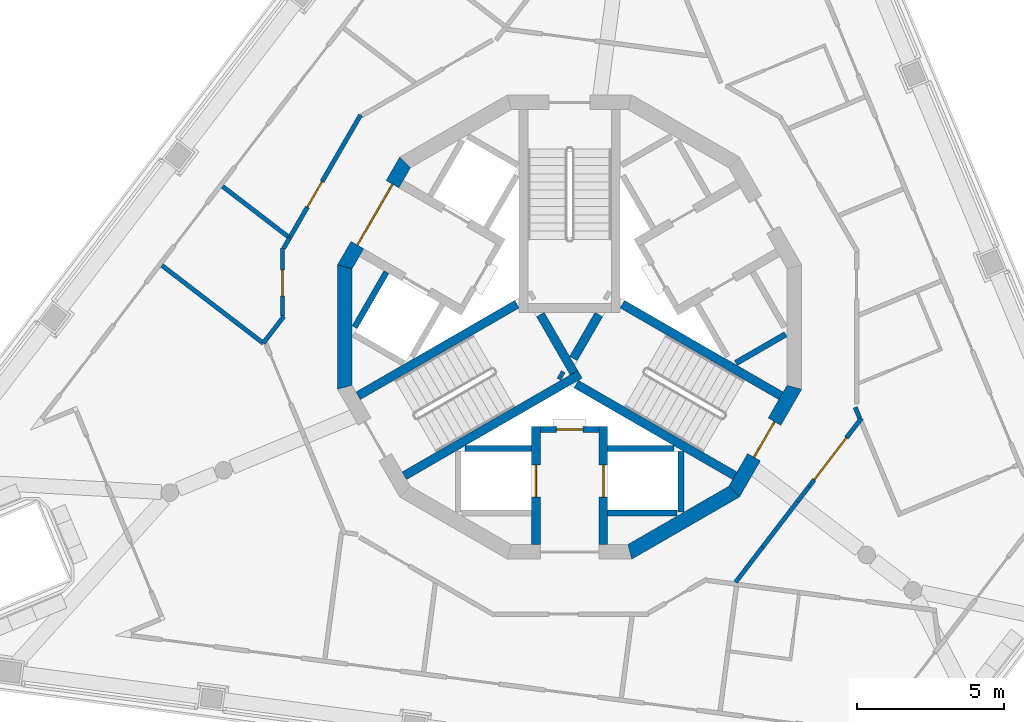
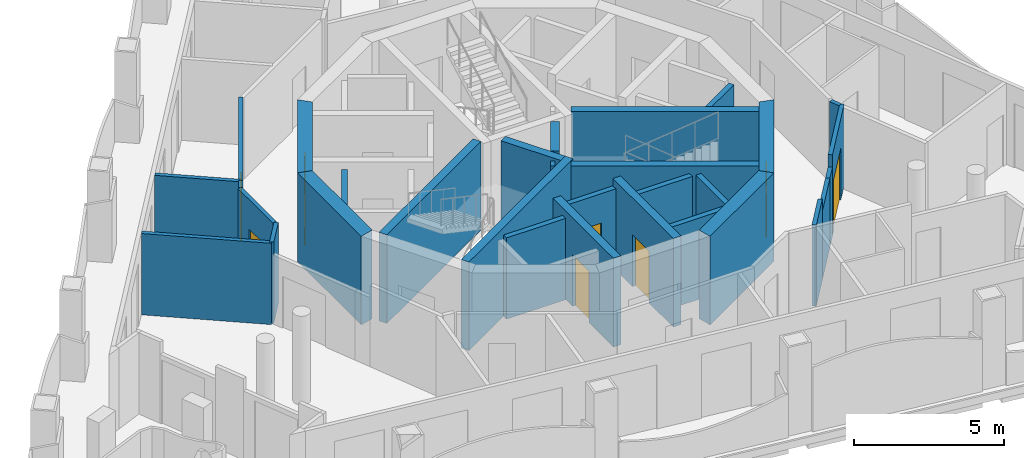
# One storey, part 3 of 12: 31 walls, 8 doors, 8 openings.
"""IFC4 building model written with IfcOpenShell, lengths in metres."""

from ifc_helpers import new_model, si_unit, direction, frame, frame_2d, origin, place, context, subcontext, project, spatial, polyline, rectangle, outline, extrude, material, layer, layer_set, type_object, element, fill, save


model = new_model("IFC4")

# Units and contexts
model_context = context("Model", 3, precision=1e-05, world=origin(), true_north=direction((0.0, 1.0)))
body_context = subcontext(model_context, "Body", "Model", "MODEL_VIEW")
ifc_project = project(units=[si_unit("LENGTHUNIT", "METRE"), si_unit("AREAUNIT", "SQUARE_METRE"), si_unit("VOLUMEUNIT", "CUBIC_METRE"), si_unit("PLANEANGLEUNIT", "RADIAN"), si_unit("MASSUNIT", "GRAM", prefix="KILO")], contexts=[model_context])

# Site, building, storey
site_placement = place(None, origin())
site = spatial("IfcSite", under=ifc_project, at=site_placement, CompositionType="ELEMENT")
building_placement = place(site_placement, origin())
building = spatial("IfcBuilding", under=site, at=building_placement, Name="Trine Commons Tower", CompositionType="ELEMENT")
storey_placement = place(building_placement, frame((0.0, 0.0, 282.60009765625)))
storey = spatial("IfcBuildingStorey", under=building, at=storey_placement, Name="L74", CompositionType="ELEMENT", Elevation=282.60009765625)

# Wall, opening, door
ifc_material_1 = material(Name="Fire-rated gypsum shaft wall system")
ifc_layer_1 = layer(ifc_material_1, 0.199951171875)
ifc_layer_set_1 = layer_set([ifc_layer_1], Name="Fire-rated gypsum shaft wall system")
wall_type_1 = type_object("IfcWallType", Name="Lobby end wall 200 mm, EI 120", PredefinedType="PARTITIONING", material=ifc_layer_set_1)
wall_1_placement = place(storey_placement, frame((79.0, 59.0, 0.0), z_axis=(0.0, 0.0, 1.0), x_axis=(1.0, 0.0, 0.0)))
wall_1 = element("IfcWall", 1, at=wall_1_placement, inside=storey, type_object=wall_type_1, Name="Lobby end wall L74", PredefinedType="PARTITIONING", context=body_context, shape_type="SweptSolid", body=[
    extrude(rectangle(XDim=2.0, YDim=0.199951171875, at=frame_2d((1.0, 0.0))), origin(), (0.0, 0.0, 1.0), 3.2998046875),
])
opening_1_placement = place(wall_1_placement, frame((0.550048828125, 0.0, 0.0)))
opening_1 = element("IfcOpeningElement", 2, at=opening_1_placement, cuts=wall_1, Name="Opening K18.09", PredefinedType="OPENING", context=body_context, shape_type="SweptSolid", body=[
    extrude(rectangle(XDim=0.89990234375, YDim=2.10009765625, at=frame_2d((0.449951171875, 1.050048828125))), frame((0.0, 0.10986328125, 0.0), z_axis=(0.0, -1.0, 0.0), x_axis=(1.0, 0.0, 0.0)), (0.0, 0.0, 1.0), 0.219970703125),
])
ifc_material_2 = material(Name="Steel door leaf, fire-rated", Category="steel")
door_type_1 = type_object("IfcDoorType", Name="Riser access door, single leaf 900 x 2100, FD60", OperationType="SINGLE_SWING_LEFT", PredefinedType="DOOR", material=ifc_material_2)
door_1_placement = place(opening_1_placement, frame((0.89990234375, 0.0, 0.0), z_axis=(0.0, 0.0, 1.0), x_axis=(-1.0, 0.0, 0.0)))
door_1 = element("IfcDoor", 3, at=door_1_placement, inside=storey, type_object=door_type_1, Name="Riser door, Communications riser L74", OperationType="SINGLE_SWING_RIGHT", OverallHeight=2.10009765625, OverallWidth=0.89990234375, PredefinedType="DOOR", context=body_context, shape_type="SweptSolid", body=[
    extrude(rectangle(XDim=0.89990234375, YDim=2.10009765625, at=frame_2d((0.449951171875, 1.050048828125))), frame((0.0, 0.02490234375, 0.0), z_axis=(0.0, -1.0, 0.0), x_axis=(1.0, 0.0, 0.0)), (0.0, 0.0, 1.0), 0.050048828125),
])
fill(opening_1, door_1)

ifc_material_3 = material(Name="Concrete C50/60", Category="concrete")
ifc_layer_2 = layer(ifc_material_3, 0.300048828125)
ifc_layer_set_2 = layer_set([ifc_layer_2], Name="Concrete C50/60")
wall_type_2 = type_object("IfcWallType", Name="RC shear wall 300 mm, C50/60", PredefinedType="SHEAR", material=ifc_layer_set_2)
wall_2_placement = place(storey_placement, frame((78.85009765625, 59.10009765625, 0.0), z_axis=(0.0, 0.0, 1.0), x_axis=(0.0, -1.0, 0.0)))
wall_2 = element("IfcWall", 4, at=wall_2_placement, inside=storey, type_object=wall_type_2, Name="Core cross wall SWD-03 L74", PredefinedType="SHEAR", context=body_context, shape_type="SweptSolid", body=[
    extrude(rectangle(XDim=4.02099609375, YDim=0.300048828125, at=frame_2d((2.010498046875, 0.0))), origin(), (0.0, 0.0, 1.0), 3.599853515625),
])
opening_2_placement = place(wall_2_placement, frame((1.300048828125, 0.0, 0.0)))
opening_2 = element("IfcOpeningElement", 5, at=opening_2_placement, cuts=wall_2, Name="Opening LD10", PredefinedType="OPENING", context=body_context, shape_type="SweptSolid", body=[
    extrude(rectangle(XDim=1.10009765625, YDim=2.10009765625, at=frame_2d((0.550048828125, 1.050048828125))), frame((0.0, 0.159912109375, 0.0), z_axis=(0.0, -1.0, 0.0), x_axis=(1.0, 0.0, 0.0)), (0.0, 0.0, 1.0), 0.320068359375),
])
ifc_material_4 = material(Name="Stainless steel sliding door leaves", Category="steel")
door_type_2 = type_object("IfcDoorType", Name="Lift landing door, centre-opening sliding 1100 x 2100, FD90", OperationType="DOUBLE_DOOR_SLIDING", PredefinedType="DOOR", material=ifc_material_4)
door_2_placement = place(opening_2_placement, origin())
door_2 = element("IfcDoor", 6, at=door_2_placement, inside=storey, type_object=door_type_2, Name="Lift landing door FF2 L74", OperationType="DOUBLE_DOOR_SLIDING", OverallHeight=2.10009765625, OverallWidth=1.10009765625, PredefinedType="DOOR", context=body_context, shape_type="SweptSolid", body=[
    extrude(rectangle(XDim=1.10009765625, YDim=2.10009765625, at=frame_2d((0.550048828125, 1.050048828125))), frame((0.0, 0.02490234375, 0.0), z_axis=(0.0, -1.0, 0.0), x_axis=(1.0, 0.0, 0.0)), (0.0, 0.0, 1.0), 0.050048828125),
])
fill(opening_2, door_2)

wall_3_placement = place(storey_placement, frame((81.14990234375, 59.10009765625, 0.0), z_axis=(0.0, 0.0, 1.0), x_axis=(0.0, -1.0, 0.0)))
wall_3 = element("IfcWall", 7, at=wall_3_placement, inside=storey, type_object=wall_type_2, Name="Core cross wall SWD-04 L74", PredefinedType="SHEAR", context=body_context, shape_type="SweptSolid", body=[
    extrude(rectangle(XDim=4.02099609375, YDim=0.300048828125, at=frame_2d((2.010498046875, 0.0))), origin(), (0.0, 0.0, 1.0), 3.599853515625),
])
opening_3_placement = place(wall_3_placement, frame((1.300048828125, 0.0, 0.0)))
opening_3 = element("IfcOpeningElement", 8, at=opening_3_placement, cuts=wall_3, Name="Opening LD9", PredefinedType="OPENING", context=body_context, shape_type="SweptSolid", body=[
    extrude(rectangle(XDim=1.10009765625, YDim=2.10009765625, at=frame_2d((0.550048828125, 1.050048828125))), frame((0.0, 0.159912109375, 0.0), z_axis=(0.0, -1.0, 0.0), x_axis=(1.0, 0.0, 0.0)), (0.0, 0.0, 1.0), 0.320068359375),
])
door_3_placement = place(opening_3_placement, origin())
door_3 = element("IfcDoor", 9, at=door_3_placement, inside=storey, type_object=door_type_2, Name="Lift landing door FF1 L74", OperationType="DOUBLE_DOOR_SLIDING", OverallHeight=2.10009765625, OverallWidth=1.10009765625, PredefinedType="DOOR", context=body_context, shape_type="SweptSolid", body=[
    extrude(rectangle(XDim=1.10009765625, YDim=2.10009765625, at=frame_2d((0.550048828125, 1.050048828125))), frame((0.0, 0.02490234375, 0.0), z_axis=(0.0, -1.0, 0.0), x_axis=(1.0, 0.0, 0.0)), (0.0, 0.0, 1.0), 0.050048828125),
])
fill(opening_3, door_3)

# Walls
wall_4_placement = place(storey_placement, frame((78.199951171875, 63.280029296875, 0.0), z_axis=(0.0, 0.0, 1.0), x_axis=(-0.866013897511, -0.50001992892, 0.0)))
element("IfcWall", 10, at=wall_4_placement, inside=storey, type_object=wall_type_2, Name="Core cross wall SWD-07 L74", PredefinedType="SHEAR", context=body_context, shape_type="SweptSolid", body=[
    extrude(rectangle(XDim=6.251708984375, YDim=0.300048828125, at=frame_2d((3.1259765625, 0.0))), origin(), (0.0, 0.0, 1.0), 3.599853515625),
])
wall_5_placement = place(storey_placement, frame((79.0029296875, 62.926025390625, 0.0), z_axis=(0.0, 0.0, 1.0), x_axis=(0.499965247104, -0.866045467449, 0.0)))
element("IfcWall", 11, at=wall_5_placement, inside=storey, type_object=wall_type_2, Name="Core cross wall SWD-10 L74", PredefinedType="SHEAR", context=body_context, shape_type="SweptSolid", body=[
    extrude(rectangle(XDim=2.292236328125, YDim=0.300048828125, at=frame_2d((1.14599609375, 0.0))), origin(), (0.0, 0.0, 1.0), 3.599853515625),
])
wall_6_placement = place(storey_placement, frame((79.64599609375, 60.885986328125, 0.0), z_axis=(0.0, 0.0, 1.0), x_axis=(0.867331893649, -0.497730234424, 0.0)))
element("IfcWall", 12, at=wall_6_placement, inside=storey, type_object=wall_type_2, Name="Core cross wall SWD-11 L74", PredefinedType="SHEAR", context=body_context, shape_type="SweptSolid", body=[
    extrude(rectangle(XDim=0.148681640625, YDim=0.300048828125, at=frame_2d((0.07421875, 0.0))), origin(), (0.0, 0.0, 1.0), 3.599853515625),
])
wall_7_placement = place(storey_placement, frame((80.1298828125, 61.424072265625, 0.0), z_axis=(0.0, 0.0, 1.0), x_axis=(0.500014901547, 0.866016800201, 0.0)))
element("IfcWall", 13, at=wall_7_placement, inside=storey, type_object=wall_type_2, Name="Core cross wall SWD-12 L74", PredefinedType="SHEAR", context=body_context, shape_type="SweptSolid", body=[
    extrude(rectangle(XDim=1.734375, YDim=0.300048828125, at=frame_2d((0.8671875, 0.0))), origin(), (0.0, 0.0, 1.0), 3.599853515625),
])
wall_8_placement = place(storey_placement, frame((80.22509765625, 60.552001953125, 0.0), z_axis=(0.0, 0.0, 1.0), x_axis=(0.866004133274, -0.500036839795, 0.0)))
element("IfcWall", 14, at=wall_8_placement, inside=storey, type_object=wall_type_2, Name="Core cross wall SWD-13 L74", PredefinedType="SHEAR", context=body_context, shape_type="SweptSolid", body=[
    extrude(rectangle(XDim=6.25146484375, YDim=0.300048828125, at=frame_2d((3.125732421875, 0.0))), origin(), (0.0, 0.0, 1.0), 3.599853515625),
])
wall_9_placement = place(storey_placement, frame((80.35400390625, 60.885986328125, 0.0), z_axis=(0.0, 0.0, 1.0), x_axis=(-0.86602871973, -0.49999425657, 0.0)))
element("IfcWall", 15, at=wall_9_placement, inside=storey, type_object=wall_type_2, Name="Core cross wall SWD-14 L74", PredefinedType="SHEAR", context=body_context, shape_type="SweptSolid", body=[
    extrude(rectangle(XDim=6.919921875, YDim=0.300048828125, at=frame_2d((3.4599609375, 0.0))), origin(), (0.0, 0.0, 1.0), 3.599853515625),
])
wall_10_placement = place(storey_placement, frame((81.800048828125, 63.280029296875, 0.0), z_axis=(0.0, 0.0, 1.0), x_axis=(0.866013897511, -0.50001992892, 0.0)))
element("IfcWall", 16, at=wall_10_placement, inside=storey, type_object=wall_type_2, Name="Core cross wall SWD-18 L74", PredefinedType="SHEAR", context=body_context, shape_type="SweptSolid", body=[
    extrude(rectangle(XDim=6.251708984375, YDim=0.300048828125, at=frame_2d((3.1259765625, 0.0))), origin(), (0.0, 0.0, 1.0), 3.599853515625),
])

# Wall, opening, door
ifc_layer_3 = layer(ifc_material_3, 0.5)
ifc_layer_set_3 = layer_set([ifc_layer_3], Name="Concrete C50/60")
wall_type_3 = type_object("IfcWallType", Name="RC shear wall 500 mm, C50/60", PredefinedType="SHEAR", material=ifc_layer_set_3)
wall_11_placement = place(storey_placement, frame((74.418212890625, 68.17333984375, 0.0), z_axis=(0.0, 0.0, 1.0), x_axis=(-0.499992968425, -0.866029463428, 0.0)))
wall_11 = element("IfcWall", 17, at=wall_11_placement, inside=storey, type_object=wall_type_3, Name="Core wall CWH-06 L74", PredefinedType="SHEAR", context=body_context, shape_type="SweptSolid", body=[
    extrude(outline(polyline([(0.0, -0.25), (4.24462890625, -0.25), (4.110595703125, 0.25), (0.134033203125, 0.25), (0.0, -0.25)])), origin(), (0.0, 0.0, 1.0), 3.599853515625),
])
opening_4_placement = place(wall_11_placement, frame((0.92236328125, 0.0, 0.0)))
opening_4 = element("IfcOpeningElement", 18, at=opening_4_placement, cuts=wall_11, Name="Opening K18.06", PredefinedType="OPENING", context=body_context, shape_type="SweptSolid", body=[
    extrude(rectangle(XDim=2.39990234375, YDim=2.10009765625, at=frame_2d((1.199951171875, 1.050048828125))), frame((0.0, 0.260009765625, 0.0), z_axis=(0.0, -1.0, 0.0), x_axis=(1.0, 0.0, 0.0)), (0.0, 0.0, 1.0), 0.52001953125),
])
ifc_material_5 = material(Name="Steel door leaves, fire-rated", Category="steel")
door_type_3 = type_object("IfcDoorType", Name="Lobby door, double leaf 2400 x 2100, FD60", OperationType="DOUBLE_DOOR_SINGLE_SWING", PredefinedType="DOOR", material=ifc_material_5)
door_4_placement = place(opening_4_placement, origin())
door_4 = element("IfcDoor", 19, at=door_4_placement, inside=storey, type_object=door_type_3, Name="Lobby door, Passenger lift lobby B L74", OperationType="DOUBLE_DOOR_SINGLE_SWING", OverallHeight=2.10009765625, OverallWidth=2.39990234375, PredefinedType="DOOR", context=body_context, shape_type="SweptSolid", body=[
    extrude(rectangle(XDim=2.39990234375, YDim=2.10009765625, at=frame_2d((1.199951171875, 1.050048828125))), frame((0.0, 0.02490234375, 0.0), z_axis=(0.0, -1.0, 0.0), x_axis=(1.0, 0.0, 0.0)), (0.0, 0.0, 1.0), 0.050048828125),
])
fill(opening_4, door_4)

# Walls
for number, where, z_axis, x_axis, name in (
    (20, (72.329345703125, 64.622314453125, 0.0), (0.0, 0.0, 1.0), (0.0, -1.0, 0.0), "Core wall CWH-07 L74"),
    (21, (81.997314453125, 54.7958984375, 0.0), (0.0, 0.0, 1.0), (0.866029463428, 0.499992968425, 0.0), "Core wall CWH-11 L74"),
):
    element("IfcWall", number, at=place(storey_placement, frame(where, z_axis=z_axis, x_axis=x_axis)), inside=storey, type_object=wall_type_3, Name=name, PredefinedType="SHEAR", context=body_context, shape_type="SweptSolid", body=[
        extrude(outline(polyline([(0.0, -0.25), (4.24462890625, -0.25), (4.110595703125, 0.25), (0.134033203125, 0.25), (0.0, -0.25)])), origin(), (0.0, 0.0, 1.0), 3.599853515625),
    ])

# Wall, opening, door
wall_12_placement = place(storey_placement, frame((85.581787109375, 56.82666015625, 0.0), z_axis=(0.0, 0.0, 1.0), x_axis=(0.499992968425, 0.866029463428, 0.0)))
wall_12 = element("IfcWall", 22, at=wall_12_placement, inside=storey, type_object=wall_type_3, Name="Core wall CWH-12 L74", PredefinedType="SHEAR", context=body_context, shape_type="SweptSolid", body=[
    extrude(outline(polyline([(0.0, -0.25), (4.24462890625, -0.25), (4.110595703125, 0.25), (0.134033203125, 0.25), (0.0, -0.25)])), origin(), (0.0, 0.0, 1.0), 3.599853515625),
])
opening_5_placement = place(wall_12_placement, frame((1.42236328125, 0.0, 0.0)))
opening_5 = element("IfcOpeningElement", 23, at=opening_5_placement, cuts=wall_12, Name="Opening K18.03", PredefinedType="OPENING", context=body_context, shape_type="SweptSolid", body=[
    extrude(rectangle(XDim=1.39990234375, YDim=2.10009765625, at=frame_2d((0.699951171875, 1.050048828125))), frame((0.0, 0.260009765625, 0.0), z_axis=(0.0, -1.0, 0.0), x_axis=(1.0, 0.0, 0.0)), (0.0, 0.0, 1.0), 0.52001953125),
])
door_type_4 = type_object("IfcDoorType", Name="Stair door, double leaf 1400 x 2100, FD90", OperationType="DOUBLE_DOOR_SINGLE_SWING", PredefinedType="DOOR", material=ifc_material_5)
door_5_placement = place(opening_5_placement, origin())
door_5 = element("IfcDoor", 24, at=door_5_placement, inside=storey, type_object=door_type_4, Name="Stair door to Exit stair ST3D L74", OperationType="DOUBLE_DOOR_SINGLE_SWING", OverallHeight=2.10009765625, OverallWidth=1.39990234375, PredefinedType="DOOR", context=body_context, shape_type="SweptSolid", body=[
    extrude(rectangle(XDim=1.39990234375, YDim=2.10009765625, at=frame_2d((0.699951171875, 1.050048828125))), frame((0.0, 0.02490234375, 0.0), z_axis=(0.0, -1.0, 0.0), x_axis=(1.0, 0.0, 0.0)), (0.0, 0.0, 1.0), 0.050048828125),
])
fill(opening_5, door_5)

# Walls
ifc_layer_4 = layer(ifc_material_1, 0.199951171875)
ifc_layer_set_4 = layer_set([ifc_layer_4], Name="Fire-rated gypsum shaft wall system")
wall_type_4 = type_object("IfcWallType", Name="Shaft wall 200 mm, EI 120", PredefinedType="PARTITIONING", material=ifc_layer_set_4)
wall_13_placement = place(storey_placement, frame((73.7509765625, 64.3759765625, 0.0), z_axis=(0.0, 0.0, 1.0), x_axis=(-0.499865263774, -0.866103179807, 0.0)))
element("IfcWall", 25, at=wall_13_placement, inside=storey, type_object=wall_type_4, Name="Shaft wall L74", PredefinedType="PARTITIONING", context=body_context, shape_type="SweptSolid", body=[
    extrude(rectangle(XDim=2.17041015625, YDim=0.199951171875, at=frame_2d((1.085205078125, 0.0))), origin(), (0.0, 0.0, 1.0), 3.2998046875),
])
wall_14_placement = place(storey_placement, frame((78.699951171875, 58.35009765625, 0.0), z_axis=(0.0, 0.0, 1.0), x_axis=(-1.0, 0.0, 0.0)))
element("IfcWall", 26, at=wall_14_placement, inside=storey, type_object=wall_type_4, Name="Shaft wall L74", PredefinedType="PARTITIONING", context=body_context, shape_type="SweptSolid", body=[
    extrude(rectangle(XDim=2.264892578125, YDim=0.199951171875, at=frame_2d((1.13232421875, 0.0))), origin(), (0.0, 0.0, 1.0), 3.2998046875),
])
wall_15_placement = place(storey_placement, frame((81.300048828125, 56.14990234375, 0.0), z_axis=(0.0, 0.0, 1.0), x_axis=(1.0, 0.0, 0.0)))
element("IfcWall", 27, at=wall_15_placement, inside=storey, type_object=wall_type_4, Name="Shaft wall L74", PredefinedType="PARTITIONING", context=body_context, shape_type="SweptSolid", body=[
    extrude(rectangle(XDim=2.368896484375, YDim=0.199951171875, at=frame_2d((1.1845703125, 0.0))), origin(), (0.0, 0.0, 1.0), 3.2998046875),
])
wall_16_placement = place(storey_placement, frame((81.300048828125, 58.35009765625, 0.0), z_axis=(0.0, 0.0, 1.0), x_axis=(1.0, 0.0, 0.0)))
element("IfcWall", 28, at=wall_16_placement, inside=storey, type_object=wall_type_4, Name="Shaft wall L74", PredefinedType="PARTITIONING", context=body_context, shape_type="SweptSolid", body=[
    extrude(rectangle(XDim=2.264892578125, YDim=0.199951171875, at=frame_2d((1.13232421875, 0.0))), origin(), (0.0, 0.0, 1.0), 3.2998046875),
])
wall_17_placement = place(storey_placement, frame((83.800048828125, 58.257080078125, 0.0), z_axis=(0.0, 0.0, 1.0), x_axis=(0.0, -1.0, 0.0)))
element("IfcWall", 29, at=wall_17_placement, inside=storey, type_object=wall_type_4, Name="Shaft wall L74", PredefinedType="PARTITIONING", context=body_context, shape_type="SweptSolid", body=[
    extrude(rectangle(XDim=2.073974609375, YDim=0.199951171875, at=frame_2d((1.037109375, 0.0))), origin(), (0.0, 0.0, 1.0), 3.2998046875),
])
wall_18_placement = place(storey_placement, frame((85.675048828125, 61.27294921875, 0.0), z_axis=(0.0, 0.0, 1.0), x_axis=(0.86585547495, 0.500294209939, 0.0)))
element("IfcWall", 30, at=wall_18_placement, inside=storey, type_object=wall_type_4, Name="Shaft wall L74", PredefinedType="PARTITIONING", context=body_context, shape_type="SweptSolid", body=[
    extrude(rectangle(XDim=1.958740234375, YDim=0.199951171875, at=frame_2d((0.9794921875, 0.0))), origin(), (0.0, 0.0, 1.0), 3.2998046875),
])
ifc_material_6 = material(Name="Gypsum plasterboard on steel stud", Category="steel")
ifc_layer_5 = layer(ifc_material_6, 0.14990234375)
ifc_layer_set_5 = layer_set([ifc_layer_5], Name="Gypsum plasterboard on steel stud")
wall_type_5 = type_object("IfcWallType", Name="Unit and corridor wall 150 mm, EI 60", PredefinedType="PARTITIONING", material=ifc_layer_set_5)
wall_19_placement = place(storey_placement, frame((66.087646484375, 64.6025390625, 0.0), z_axis=(0.0, 0.0, 1.0), x_axis=(0.793353973565, -0.60876060371, 0.0)))
element("IfcWall", 31, at=wall_19_placement, inside=storey, type_object=wall_type_5, Name="Partition 001", PredefinedType="PARTITIONING", context=body_context, shape_type="SweptSolid", body=[
    extrude(rectangle(XDim=4.360595703125, YDim=0.14990234375, at=frame_2d((2.18017578125, 0.0))), origin(), (0.0, 0.0, 1.0), 3.2998046875),
])
wall_20_placement = place(storey_placement, frame((68.15771484375, 67.300537109375, 0.0), z_axis=(0.0, 0.0, 1.0), x_axis=(0.793362540986, -0.608749438242, 0.0)))
element("IfcWall", 32, at=wall_20_placement, inside=storey, type_object=wall_type_5, Name="Partition 002", PredefinedType="PARTITIONING", context=body_context, shape_type="SweptSolid", body=[
    extrude(rectangle(XDim=2.885498046875, YDim=0.14990234375, at=frame_2d((1.44287109375, 0.0))), origin(), (0.0, 0.0, 1.0), 3.2998046875),
])
wall_21_placement = place(storey_placement, frame((69.552490234375, 61.95556640625, 0.0), z_axis=(0.0, 0.0, 1.0), x_axis=(0.608525507611, 0.793534313427, 0.0)))
element("IfcWall", 33, at=wall_21_placement, inside=storey, type_object=wall_type_5, Name="Partition 003", PredefinedType="PARTITIONING", context=body_context, shape_type="SweptSolid", body=[
    extrude(rectangle(XDim=1.1455078125, YDim=0.14990234375, at=frame_2d((0.57275390625, 0.0))), origin(), (0.0, 0.0, 1.0), 3.2998046875),
])

# Wall, opening, door
wall_22_placement = place(storey_placement, frame((70.2041015625, 62.8798828125, 0.0), z_axis=(0.0, 0.0, 1.0), x_axis=(0.0, 1.0, 0.0)))
wall_22 = element("IfcWall", 34, at=wall_22_placement, inside=storey, type_object=wall_type_5, Name="Partition 005", PredefinedType="PARTITIONING", context=body_context, shape_type="SweptSolid", body=[
    extrude(rectangle(XDim=2.320068359375, YDim=0.14990234375, at=frame_2d((1.16015625, 0.0))), origin(), (0.0, 0.0, 1.0), 3.2998046875),
])
opening_6_placement = place(wall_22_placement, frame((0.672607421875, 0.0, 0.0)))
opening_6 = element("IfcOpeningElement", 35, at=opening_6_placement, cuts=wall_22, Name="Opening D-8B04", PredefinedType="OPENING", context=body_context, shape_type="SweptSolid", body=[
    extrude(rectangle(XDim=0.89990234375, YDim=2.10009765625, at=frame_2d((0.449951171875, 1.050048828125))), frame((0.0, 0.0849609375, 0.0), z_axis=(0.0, -1.0, 0.0), x_axis=(1.0, 0.0, 0.0)), (0.0, 0.0, 1.0), 0.169921875),
])
ifc_material_7 = material(Name="Timber fire door set", Category="wood")
door_type_5 = type_object("IfcDoorType", Name="Service door 900 x 2100, FD30S", OperationType="NOTDEFINED", PredefinedType="DOOR", material=ifc_material_7)
door_6_placement = place(opening_6_placement, origin())
door_6 = element("IfcDoor", 36, at=door_6_placement, inside=storey, type_object=door_type_5, Name="Door D-8B04", OperationType="SINGLE_SWING_LEFT", OverallHeight=2.10009765625, OverallWidth=0.89990234375, PredefinedType="DOOR", context=body_context, shape_type="SweptSolid", body=[
    extrude(rectangle(XDim=0.89990234375, YDim=2.10009765625, at=frame_2d((0.449951171875, 1.050048828125))), frame((0.0, 0.02490234375, 0.0), z_axis=(0.0, -1.0, 0.0), x_axis=(1.0, 0.0, 0.0)), (0.0, 0.0, 1.0), 0.050048828125),
])
fill(opening_6, door_6)

# Wall
wall_23_placement = place(storey_placement, frame((70.241455078125, 65.18994140625, 0.0), z_axis=(0.0, 0.0, 1.0), x_axis=(0.499569084189, 0.866274050242, 0.0)))
element("IfcWall", 37, at=wall_23_placement, inside=storey, type_object=wall_type_5, Name="Partition 006", PredefinedType="PARTITIONING", context=body_context, shape_type="SweptSolid", body=[
    extrude(rectangle(XDim=0.413330078125, YDim=0.14990234375, at=frame_2d((0.20654296875, 0.0))), origin(), (0.0, 0.0, 1.0), 3.2998046875),
])

# Wall, opening, door
wall_24_placement = place(storey_placement, frame((70.444091796875, 65.541015625, 0.0), z_axis=(0.0, 0.0, 1.0), x_axis=(0.500074377092, 0.865982457891, 0.0)))
wall_24 = element("IfcWall", 38, at=wall_24_placement, inside=storey, type_object=wall_type_5, Name="Partition 007", PredefinedType="PARTITIONING", context=body_context, shape_type="SweptSolid", body=[
    extrude(rectangle(XDim=4.843994140625, YDim=0.14990234375, at=frame_2d((2.421875, 0.0))), origin(), (0.0, 0.0, 1.0), 3.2998046875),
])
opening_7_placement = place(wall_24_placement, frame((1.21923828125, 0.0, 0.0)))
opening_7 = element("IfcOpeningElement", 39, at=opening_7_placement, cuts=wall_24, Name="Opening D-8B05", PredefinedType="OPENING", context=body_context, shape_type="SweptSolid", body=[
    extrude(rectangle(XDim=1.0, YDim=2.10009765625, at=frame_2d((0.5, 1.050048828125))), frame((0.0, 0.0849609375, 0.0), z_axis=(0.0, -1.0, 0.0), x_axis=(1.0, 0.0, 0.0)), (0.0, 0.0, 1.0), 0.169921875),
])
ifc_material_8 = material(Name="Painted timber", Category="wood")
door_type_6 = type_object("IfcDoorType", Name="Amenity room door 1000 x 2100, NOT RATED", OperationType="NOTDEFINED", PredefinedType="DOOR", material=ifc_material_8)
door_7_placement = place(opening_7_placement, origin())
door_7 = element("IfcDoor", 40, at=door_7_placement, inside=storey, type_object=door_type_6, Name="Door D-8B05", OperationType="SINGLE_SWING_LEFT", OverallHeight=2.10009765625, OverallWidth=1.0, PredefinedType="DOOR", context=body_context, shape_type="SweptSolid", body=[
    extrude(rectangle(XDim=1.0, YDim=2.10009765625, at=frame_2d((0.5, 1.050048828125))), frame((0.0, 0.02490234375, 0.0), z_axis=(0.0, -1.0, 0.0), x_axis=(1.0, 0.0, 0.0)), (0.0, 0.0, 1.0), 0.050048828125),
])
fill(opening_7, door_7)

# Walls
wall_25_placement = place(storey_placement, frame((85.66650390625, 53.79345703125, 0.0), z_axis=(0.0, 0.0, 1.0), x_axis=(0.608584360589, 0.79348917828, 0.0)))
element("IfcWall", 41, at=wall_25_placement, inside=storey, type_object=wall_type_5, Name="Partition 034", PredefinedType="PARTITIONING", context=body_context, shape_type="SweptSolid", body=[
    extrude(rectangle(XDim=1.50927734375, YDim=0.14990234375, at=frame_2d((0.754638671875, 0.0))), origin(), (0.0, 0.0, 1.0), 3.2998046875),
])
wall_26_placement = place(storey_placement, frame((86.5849609375, 54.990966796875, 0.0), z_axis=(0.0, 0.0, 1.0), x_axis=(0.608644571119, 0.793442994832, 0.0)))
element("IfcWall", 42, at=wall_26_placement, inside=storey, type_object=wall_type_5, Name="Partition 035", PredefinedType="PARTITIONING", context=body_context, shape_type="SweptSolid", body=[
    extrude(rectangle(XDim=1.94873046875, YDim=0.14990234375, at=frame_2d((0.974365234375, 0.0))), origin(), (0.0, 0.0, 1.0), 2.7998046875),
])
wall_27_placement = place(storey_placement, frame((87.77099609375, 56.537109375, 0.0), z_axis=(0.0, 0.0, 1.0), x_axis=(0.60945333551, 0.792821942075, 0.0)))
element("IfcWall", 43, at=wall_27_placement, inside=storey, type_object=wall_type_5, Name="Partition 039", PredefinedType="PARTITIONING", context=body_context, shape_type="SweptSolid", body=[
    extrude(rectangle(XDim=0.641845703125, YDim=0.14990234375, at=frame_2d((0.32080078125, 0.0))), origin(), (0.0, 0.0, 1.0), 2.7998046875),
])

# Wall, opening, door
wall_28_placement = place(storey_placement, frame((88.1630859375, 57.047119140625, 0.0), z_axis=(0.0, 0.0, 1.0), x_axis=(0.608858566232, 0.793278794829, 0.0)))
wall_28 = element("IfcWall", 44, at=wall_28_placement, inside=storey, type_object=wall_type_5, Name="Partition 041", PredefinedType="PARTITIONING", context=body_context, shape_type="SweptSolid", body=[
    extrude(rectangle(XDim=2.964111328125, YDim=0.14990234375, at=frame_2d((1.48193359375, 0.0))), origin(), (0.0, 0.0, 1.0), 3.2998046875),
])
opening_8_placement = place(wall_28_placement, frame((0.307861328125, 0.0, 0.0)))
opening_8 = element("IfcOpeningElement", 45, at=opening_8_placement, cuts=wall_28, Name="Opening D-8B02", PredefinedType="OPENING", context=body_context, shape_type="SweptSolid", body=[
    extrude(rectangle(XDim=1.800048828125, YDim=2.10009765625, at=frame_2d((0.89990234375, 1.050048828125))), frame((0.0, 0.0849609375, 0.0), z_axis=(0.0, -1.0, 0.0), x_axis=(1.0, 0.0, 0.0)), (0.0, 0.0, 1.0), 0.169921875),
])
door_type_7 = type_object("IfcDoorType", Name="Cluster entrance door 1800 x 2100, double leaf, FD30S", OperationType="DOUBLE_DOOR_DOUBLE_SWING", PredefinedType="DOOR", material=ifc_material_7)
door_8_placement = place(opening_8_placement, frame((1.800048828125, 0.0, 0.0), z_axis=(0.0, 0.0, 1.0), x_axis=(-1.0, 0.0, 0.0)))
door_8 = element("IfcDoor", 46, at=door_8_placement, inside=storey, type_object=door_type_7, Name="Door D-8B02", OperationType="DOUBLE_DOOR_DOUBLE_SWING", OverallHeight=2.10009765625, OverallWidth=1.800048828125, PredefinedType="DOOR", context=body_context, shape_type="SweptSolid", body=[
    extrude(rectangle(XDim=1.800048828125, YDim=2.10009765625, at=frame_2d((0.89990234375, 1.050048828125))), frame((0.0, 0.02490234375, 0.0), z_axis=(0.0, -1.0, 0.0), x_axis=(1.0, 0.0, 0.0)), (0.0, 0.0, 1.0), 0.050048828125),
])
fill(opening_8, door_8)

# Wall
wall_29_placement = place(storey_placement, frame((89.747802734375, 59.760498046875, 0.0), z_axis=(0.0, 0.0, 1.0), x_axis=(0.382100188932, -0.924120904221, 0.0)))
element("IfcWall", 47, at=wall_29_placement, inside=storey, type_object=wall_type_5, Name="Partition 045", PredefinedType="PARTITIONING", context=body_context, shape_type="SweptSolid", body=[
    extrude(rectangle(XDim=0.39990234375, YDim=0.14990234375, at=frame_2d((0.199951171875, 0.0))), origin(), (0.0, 0.0, 1.0), 3.2998046875),
])

save(model, "model.ifc")
